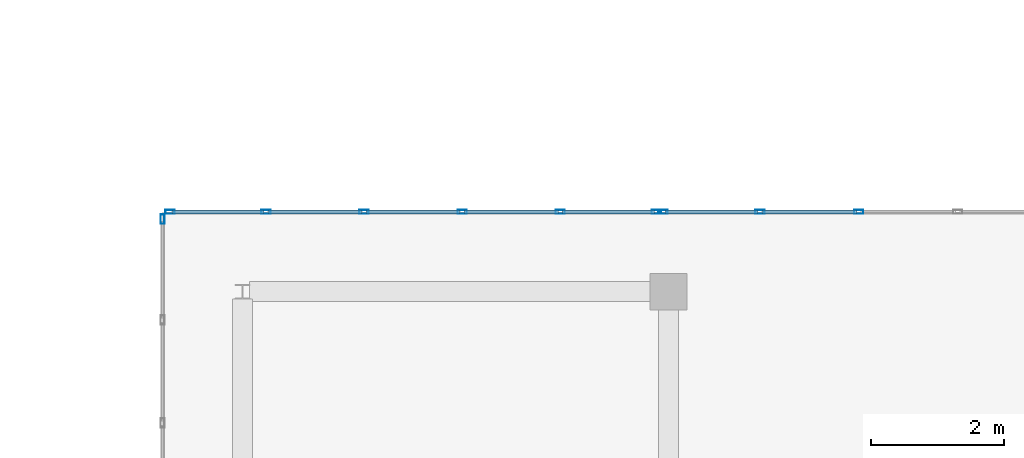
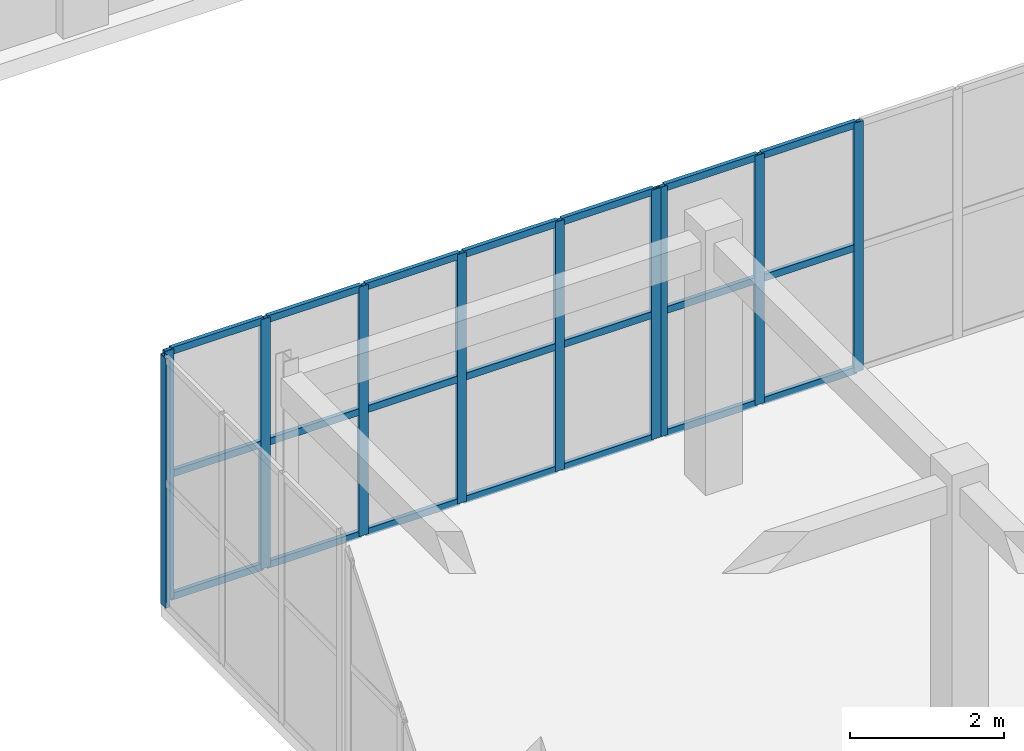
# One storey, part 54 of 140: 31 members, 3 elements without a shape of their own.
"""IFC4 building model written with IfcOpenShell, lengths in metres."""

from ifc_helpers import new_model, si_unit, direction, frame, origin, origin_2d, place, context, subcontext, project, spatial, hollow_rectangle, extrude, material, layer, layer_set, material_profile, profile_set, type_object, element, aggregate, save


model = new_model("IFC4")

# Units and contexts
model_context = context("Model", 3, precision=1e-05, world=origin(), true_north=direction((0.0, 1.0)))
body_context = subcontext(model_context, "Body", "Model", "MODEL_VIEW")
ifc_project = project(units=[si_unit("LENGTHUNIT", "METRE"), si_unit("AREAUNIT", "SQUARE_METRE"), si_unit("VOLUMEUNIT", "CUBIC_METRE"), si_unit("PLANEANGLEUNIT", "RADIAN"), si_unit("MASSUNIT", "GRAM", prefix="KILO")], contexts=[model_context])

# Site, building, storey
site_placement = place(None, origin())
site = spatial("IfcSite", under=ifc_project, at=site_placement, CompositionType="ELEMENT")
building_placement = place(site_placement, origin())
building = spatial("IfcBuilding", under=site, at=building_placement, Name="Trelvath General Hospital", CompositionType="ELEMENT")
storey_placement = place(building_placement, frame((0.0, 0.0, 16.199951171875)))
storey = spatial("IfcBuildingStorey", under=building, at=storey_placement, Name="L04", CompositionType="ELEMENT", Elevation=16.199951171875)

# Curtain wall, members
ifc_material_1 = material(Name="Anodised aluminium and low-E glass", Category="aluminium")
ifc_layer_1 = layer(ifc_material_1, 0.139892578125)
ifc_layer_set_1 = layer_set([ifc_layer_1], Name="Anodised aluminium and low-E glass")
curtain_wall_type_1 = type_object("IfcCurtainWallType", Name="CW CrystalCube 737 396 14", PredefinedType="USERDEFINED", material=ifc_layer_set_1)
curtain_wall_1_placement = place(storey_placement, origin())
curtain_wall_1 = element("IfcCurtainWall", 1, at=curtain_wall_1_placement, inside=storey, type_object=curtain_wall_type_1, Name="Crystal Cube Curtain Wall CUBE-W-T1 N1 L04", ObjectType="Unitised Glazed Curtain Wall", PredefinedType="USERDEFINED")
ifc_material_2 = material(Name="Anodised aluminium", Category="aluminium")
ifc_material_profile_1 = material_profile(ifc_material_2, hollow_rectangle(XDim=0.06005859375, YDim=0.139892578125, WallThickness=0.00390625, at=origin_2d()), Name="RHS60x140x4")
ifc_profile_set_1 = profile_set([ifc_material_profile_1], Name="Anodised aluminium")
member_type_1 = type_object("IfcMemberType", Name="CurtainMullion 60x140", PredefinedType="MULLION", material=ifc_profile_set_1)
member_1_placement = place(storey_placement, frame((53.31005859375, 80.39990234375, 0.0), z_axis=(0.0, 0.0, 1.0), x_axis=(0.0, 1.0, 0.0)))
member_1 = element("IfcMember", 2, at=member_1_placement, type_object=member_type_1, Name="CW-271 mullion 1", PredefinedType="MULLION", context=body_context, shape_type="SweptSolid", body=[
    extrude(hollow_rectangle(XDim=0.06005859375, YDim=0.139892578125, WallThickness=0.00390625, at=origin_2d()), origin(), (0.0, 0.0, 1.0), 3.9599609375),
])
member_2_placement = place(storey_placement, frame((54.75341796875, 80.39990234375, 0.0), z_axis=(0.0, 0.0, 1.0), x_axis=(0.0, 1.0, 0.0)))
member_2 = element("IfcMember", 3, at=member_2_placement, type_object=member_type_1, Name="CW-271 mullion 2", PredefinedType="MULLION", context=body_context, shape_type="SweptSolid", body=[
    extrude(hollow_rectangle(XDim=0.06005859375, YDim=0.139892578125, WallThickness=0.00390625, at=origin_2d()), origin(), (0.0, 0.0, 1.0), 3.9599609375),
])
member_3_placement = place(storey_placement, frame((56.2265625, 80.39990234375, 0.0), z_axis=(0.0, 0.0, 1.0), x_axis=(0.0, 1.0, 0.0)))
member_3 = element("IfcMember", 4, at=member_3_placement, type_object=member_type_1, Name="CW-271 mullion 3", PredefinedType="MULLION", context=body_context, shape_type="SweptSolid", body=[
    extrude(hollow_rectangle(XDim=0.06005859375, YDim=0.139892578125, WallThickness=0.00390625, at=origin_2d()), origin(), (0.0, 0.0, 1.0), 3.9599609375),
])
member_4_placement = place(storey_placement, frame((57.699951171875, 80.39990234375, 0.0), z_axis=(0.0, 0.0, 1.0), x_axis=(0.0, 1.0, 0.0)))
member_4 = element("IfcMember", 5, at=member_4_placement, type_object=member_type_1, Name="CW-271 mullion 4", PredefinedType="MULLION", context=body_context, shape_type="SweptSolid", body=[
    extrude(hollow_rectangle(XDim=0.06005859375, YDim=0.139892578125, WallThickness=0.00390625, at=origin_2d()), origin(), (0.0, 0.0, 1.0), 3.9599609375),
])
member_5_placement = place(storey_placement, frame((59.17333984375, 80.39990234375, 0.0), z_axis=(0.0, 0.0, 1.0), x_axis=(0.0, 1.0, 0.0)))
member_5 = element("IfcMember", 6, at=member_5_placement, type_object=member_type_1, Name="CW-271 mullion 5", PredefinedType="MULLION", context=body_context, shape_type="SweptSolid", body=[
    extrude(hollow_rectangle(XDim=0.06005859375, YDim=0.139892578125, WallThickness=0.00390625, at=origin_2d()), origin(), (0.0, 0.0, 1.0), 3.9599609375),
])
member_6_placement = place(storey_placement, frame((60.61669921875, 80.39990234375, 0.0), z_axis=(0.0, 0.0, 1.0), x_axis=(0.0, 1.0, 0.0)))
member_6 = element("IfcMember", 7, at=member_6_placement, type_object=member_type_1, Name="CW-271 mullion 6", PredefinedType="MULLION", context=body_context, shape_type="SweptSolid", body=[
    extrude(hollow_rectangle(XDim=0.06005859375, YDim=0.139892578125, WallThickness=0.00390625, at=origin_2d()), origin(), (0.0, 0.0, 1.0), 3.9599609375),
])

ifc_material_3 = material(Name="Anodised aluminium and low-E glass", Category="aluminium")
ifc_layer_2 = layer(ifc_material_3, 0.139892578125)
ifc_layer_set_2 = layer_set([ifc_layer_2], Name="Anodised aluminium and low-E glass")
curtain_wall_type_2 = type_object("IfcCurtainWallType", Name="CW CrystalCube 743 396 14", PredefinedType="USERDEFINED", material=ifc_layer_set_2)
curtain_wall_2_placement = place(storey_placement, origin())
curtain_wall_2 = element("IfcCurtainWall", 8, at=curtain_wall_2_placement, inside=storey, type_object=curtain_wall_type_2, Name="Crystal Cube Curtain Wall CUBE-W-T1 N2 L04", ObjectType="Unitised Glazed Curtain Wall", PredefinedType="USERDEFINED")
member_7_placement = place(storey_placement, frame((60.716796875, 80.39990234375, 0.0), z_axis=(0.0, 0.0, 1.0), x_axis=(0.0, 1.0, 0.0)))
member_7 = element("IfcMember", 9, at=member_7_placement, type_object=member_type_1, Name="CW-272 mullion 1", PredefinedType="MULLION", context=body_context, shape_type="SweptSolid", body=[
    extrude(hollow_rectangle(XDim=0.06005859375, YDim=0.139892578125, WallThickness=0.00390625, at=origin_2d()), origin(), (0.0, 0.0, 1.0), 3.9599609375),
])
member_8_placement = place(storey_placement, frame((62.172119140625, 80.39990234375, 0.0), z_axis=(0.0, 0.0, 1.0), x_axis=(0.0, 1.0, 0.0)))
member_8 = element("IfcMember", 10, at=member_8_placement, type_object=member_type_1, Name="CW-272 mullion 2", PredefinedType="MULLION", context=body_context, shape_type="SweptSolid", body=[
    extrude(hollow_rectangle(XDim=0.06005859375, YDim=0.139892578125, WallThickness=0.00390625, at=origin_2d()), origin(), (0.0, 0.0, 1.0), 3.9599609375),
])
member_9_placement = place(storey_placement, frame((63.6572265625, 80.39990234375, 0.0), z_axis=(0.0, 0.0, 1.0), x_axis=(0.0, 1.0, 0.0)))
member_9 = element("IfcMember", 11, at=member_9_placement, type_object=member_type_1, Name="CW-272 mullion 3", PredefinedType="MULLION", context=body_context, shape_type="SweptSolid", body=[
    extrude(hollow_rectangle(XDim=0.06005859375, YDim=0.139892578125, WallThickness=0.00390625, at=origin_2d()), origin(), (0.0, 0.0, 1.0), 3.9599609375),
])

# Curtain wall, member
ifc_material_4 = material(Name="Anodised aluminium and low-E glass", Category="aluminium")
ifc_layer_3 = layer(ifc_material_4, 0.139892578125)
ifc_layer_set_3 = layer_set([ifc_layer_3], Name="Anodised aluminium and low-E glass")
curtain_wall_type_3 = type_object("IfcCurtainWallType", Name="CW CrystalCube 464 396 14", PredefinedType="USERDEFINED", material=ifc_layer_set_3)
curtain_wall_3_placement = place(storey_placement, origin())
curtain_wall_3 = element("IfcCurtainWall", 12, at=curtain_wall_3_placement, inside=storey, type_object=curtain_wall_type_3, Name="Crystal Cube Curtain Wall CUBE-W-T1 W5 L04", ObjectType="Unitised Glazed Curtain Wall", PredefinedType="USERDEFINED")
member_10_placement = place(storey_placement, frame((53.199951171875, 80.2900390625, 0.0), z_axis=(0.0, 0.0, 1.0), x_axis=(-1.0, 0.0, 0.0)))
member_10 = element("IfcMember", 13, at=member_10_placement, type_object=member_type_1, Name="CW-280 mullion 4", PredefinedType="MULLION", context=body_context, shape_type="SweptSolid", body=[
    extrude(hollow_rectangle(XDim=0.06005859375, YDim=0.139892578125, WallThickness=0.00390625, at=origin_2d()), origin(), (0.0, 0.0, 1.0), 3.9599609375),
])
aggregate(curtain_wall_3, [member_10])

# Member
ifc_material_5 = material(Name="Anodised aluminium", Category="aluminium")
ifc_material_profile_2 = material_profile(ifc_material_5, hollow_rectangle(XDim=0.06005859375, YDim=0.110107421875, WallThickness=0.00390625, at=origin_2d()), Name="RHS60x110x4")
ifc_profile_set_2 = profile_set([ifc_material_profile_2], Name="Anodised aluminium")
member_type_2 = type_object("IfcMemberType", Name="CurtainTransom 60x110", PredefinedType="USERDEFINED", material=ifc_profile_set_2)
member_11_placement = place(storey_placement, frame((53.340087890625, 80.39990234375, 0.030029296875), z_axis=(1.0, 0.0, 0.0), x_axis=(0.0, 1.0, 0.0)))
member_11 = element("IfcMember", 14, at=member_11_placement, type_object=member_type_2, Name="CW-271 transom 1.1", ObjectType="TRANSOM", PredefinedType="USERDEFINED", context=body_context, shape_type="SweptSolid", body=[
    extrude(hollow_rectangle(XDim=0.06005859375, YDim=0.110107421875, WallThickness=0.00390625, at=origin_2d()), origin(), (0.0, 0.0, 1.0), 1.38330078125),
])

member_12_placement = place(storey_placement, frame((53.340087890625, 80.39990234375, 1.97998046875), z_axis=(1.0, 0.0, 0.0), x_axis=(0.0, 1.0, 0.0)))
member_12 = element("IfcMember", 15, at=member_12_placement, type_object=member_type_2, Name="CW-271 transom 1.2", ObjectType="TRANSOM", PredefinedType="USERDEFINED", context=body_context, shape_type="SweptSolid", body=[
    extrude(hollow_rectangle(XDim=0.06005859375, YDim=0.110107421875, WallThickness=0.00390625, at=origin_2d()), origin(), (0.0, 0.0, 1.0), 1.38330078125),
])

member_13_placement = place(storey_placement, frame((53.340087890625, 80.39990234375, 3.929931640625), z_axis=(1.0, 0.0, 0.0), x_axis=(0.0, 1.0, 0.0)))
member_13 = element("IfcMember", 16, at=member_13_placement, type_object=member_type_2, Name="CW-271 transom 1.3", ObjectType="TRANSOM", PredefinedType="USERDEFINED", context=body_context, shape_type="SweptSolid", body=[
    extrude(hollow_rectangle(XDim=0.06005859375, YDim=0.110107421875, WallThickness=0.00390625, at=origin_2d()), origin(), (0.0, 0.0, 1.0), 1.38330078125),
])

member_14_placement = place(storey_placement, frame((54.783447265625, 80.39990234375, 0.030029296875), z_axis=(1.0, 0.0, 0.0), x_axis=(0.0, 1.0, 0.0)))
member_14 = element("IfcMember", 17, at=member_14_placement, type_object=member_type_2, Name="CW-271 transom 2.1", ObjectType="TRANSOM", PredefinedType="USERDEFINED", context=body_context, shape_type="SweptSolid", body=[
    extrude(hollow_rectangle(XDim=0.06005859375, YDim=0.110107421875, WallThickness=0.00390625, at=origin_2d()), origin(), (0.0, 0.0, 1.0), 1.413330078125),
])

member_15_placement = place(storey_placement, frame((54.783447265625, 80.39990234375, 1.97998046875), z_axis=(1.0, 0.0, 0.0), x_axis=(0.0, 1.0, 0.0)))
member_15 = element("IfcMember", 18, at=member_15_placement, type_object=member_type_2, Name="CW-271 transom 2.2", ObjectType="TRANSOM", PredefinedType="USERDEFINED", context=body_context, shape_type="SweptSolid", body=[
    extrude(hollow_rectangle(XDim=0.06005859375, YDim=0.110107421875, WallThickness=0.00390625, at=origin_2d()), origin(), (0.0, 0.0, 1.0), 1.413330078125),
])

member_16_placement = place(storey_placement, frame((54.783447265625, 80.39990234375, 3.929931640625), z_axis=(1.0, 0.0, 0.0), x_axis=(0.0, 1.0, 0.0)))
member_16 = element("IfcMember", 19, at=member_16_placement, type_object=member_type_2, Name="CW-271 transom 2.3", ObjectType="TRANSOM", PredefinedType="USERDEFINED", context=body_context, shape_type="SweptSolid", body=[
    extrude(hollow_rectangle(XDim=0.06005859375, YDim=0.110107421875, WallThickness=0.00390625, at=origin_2d()), origin(), (0.0, 0.0, 1.0), 1.413330078125),
])

member_17_placement = place(storey_placement, frame((56.256591796875, 80.39990234375, 0.030029296875), z_axis=(1.0, 0.0, 0.0), x_axis=(0.0, 1.0, 0.0)))
member_17 = element("IfcMember", 20, at=member_17_placement, type_object=member_type_2, Name="CW-271 transom 3.1", ObjectType="TRANSOM", PredefinedType="USERDEFINED", context=body_context, shape_type="SweptSolid", body=[
    extrude(hollow_rectangle(XDim=0.06005859375, YDim=0.110107421875, WallThickness=0.00390625, at=origin_2d()), origin(), (0.0, 0.0, 1.0), 1.413330078125),
])

member_18_placement = place(storey_placement, frame((56.256591796875, 80.39990234375, 1.97998046875), z_axis=(1.0, 0.0, 0.0), x_axis=(0.0, 1.0, 0.0)))
member_18 = element("IfcMember", 21, at=member_18_placement, type_object=member_type_2, Name="CW-271 transom 3.2", ObjectType="TRANSOM", PredefinedType="USERDEFINED", context=body_context, shape_type="SweptSolid", body=[
    extrude(hollow_rectangle(XDim=0.06005859375, YDim=0.110107421875, WallThickness=0.00390625, at=origin_2d()), origin(), (0.0, 0.0, 1.0), 1.413330078125),
])

member_19_placement = place(storey_placement, frame((56.256591796875, 80.39990234375, 3.929931640625), z_axis=(1.0, 0.0, 0.0), x_axis=(0.0, 1.0, 0.0)))
member_19 = element("IfcMember", 22, at=member_19_placement, type_object=member_type_2, Name="CW-271 transom 3.3", ObjectType="TRANSOM", PredefinedType="USERDEFINED", context=body_context, shape_type="SweptSolid", body=[
    extrude(hollow_rectangle(XDim=0.06005859375, YDim=0.110107421875, WallThickness=0.00390625, at=origin_2d()), origin(), (0.0, 0.0, 1.0), 1.413330078125),
])

member_20_placement = place(storey_placement, frame((57.72998046875, 80.39990234375, 0.030029296875), z_axis=(1.0, 0.0, 0.0), x_axis=(0.0, 1.0, 0.0)))
member_20 = element("IfcMember", 23, at=member_20_placement, type_object=member_type_2, Name="CW-271 transom 4.1", ObjectType="TRANSOM", PredefinedType="USERDEFINED", context=body_context, shape_type="SweptSolid", body=[
    extrude(hollow_rectangle(XDim=0.06005859375, YDim=0.110107421875, WallThickness=0.00390625, at=origin_2d()), origin(), (0.0, 0.0, 1.0), 1.413330078125),
])

member_21_placement = place(storey_placement, frame((57.72998046875, 80.39990234375, 1.97998046875), z_axis=(1.0, 0.0, 0.0), x_axis=(0.0, 1.0, 0.0)))
member_21 = element("IfcMember", 24, at=member_21_placement, type_object=member_type_2, Name="CW-271 transom 4.2", ObjectType="TRANSOM", PredefinedType="USERDEFINED", context=body_context, shape_type="SweptSolid", body=[
    extrude(hollow_rectangle(XDim=0.06005859375, YDim=0.110107421875, WallThickness=0.00390625, at=origin_2d()), origin(), (0.0, 0.0, 1.0), 1.413330078125),
])

member_22_placement = place(storey_placement, frame((57.72998046875, 80.39990234375, 3.929931640625), z_axis=(1.0, 0.0, 0.0), x_axis=(0.0, 1.0, 0.0)))
member_22 = element("IfcMember", 25, at=member_22_placement, type_object=member_type_2, Name="CW-271 transom 4.3", ObjectType="TRANSOM", PredefinedType="USERDEFINED", context=body_context, shape_type="SweptSolid", body=[
    extrude(hollow_rectangle(XDim=0.06005859375, YDim=0.110107421875, WallThickness=0.00390625, at=origin_2d()), origin(), (0.0, 0.0, 1.0), 1.413330078125),
])

member_23_placement = place(storey_placement, frame((59.203369140625, 80.39990234375, 0.030029296875), z_axis=(1.0, 0.0, 0.0), x_axis=(0.0, 1.0, 0.0)))
member_23 = element("IfcMember", 26, at=member_23_placement, type_object=member_type_2, Name="CW-271 transom 5.1", ObjectType="TRANSOM", PredefinedType="USERDEFINED", context=body_context, shape_type="SweptSolid", body=[
    extrude(hollow_rectangle(XDim=0.06005859375, YDim=0.110107421875, WallThickness=0.00390625, at=origin_2d()), origin(), (0.0, 0.0, 1.0), 1.38330078125),
])

member_24_placement = place(storey_placement, frame((59.203369140625, 80.39990234375, 1.97998046875), z_axis=(1.0, 0.0, 0.0), x_axis=(0.0, 1.0, 0.0)))
member_24 = element("IfcMember", 27, at=member_24_placement, type_object=member_type_2, Name="CW-271 transom 5.2", ObjectType="TRANSOM", PredefinedType="USERDEFINED", context=body_context, shape_type="SweptSolid", body=[
    extrude(hollow_rectangle(XDim=0.06005859375, YDim=0.110107421875, WallThickness=0.00390625, at=origin_2d()), origin(), (0.0, 0.0, 1.0), 1.38330078125),
])

member_25_placement = place(storey_placement, frame((59.203369140625, 80.39990234375, 3.929931640625), z_axis=(1.0, 0.0, 0.0), x_axis=(0.0, 1.0, 0.0)))
member_25 = element("IfcMember", 28, at=member_25_placement, type_object=member_type_2, Name="CW-271 transom 5.3", ObjectType="TRANSOM", PredefinedType="USERDEFINED", context=body_context, shape_type="SweptSolid", body=[
    extrude(hollow_rectangle(XDim=0.06005859375, YDim=0.110107421875, WallThickness=0.00390625, at=origin_2d()), origin(), (0.0, 0.0, 1.0), 1.38330078125),
])

aggregate(curtain_wall_1, [member_1, member_2, member_3, member_4, member_5, member_6, member_11, member_12, member_13, member_14, member_15, member_16, member_17, member_18, member_19, member_20, member_21, member_22, member_23, member_24, member_25])

member_26_placement = place(storey_placement, frame((60.74658203125, 80.39990234375, 0.030029296875), z_axis=(1.0, 0.0, 0.0), x_axis=(0.0, 1.0, 0.0)))
member_26 = element("IfcMember", 29, at=member_26_placement, type_object=member_type_2, Name="CW-272 transom 1.1", ObjectType="TRANSOM", PredefinedType="USERDEFINED", context=body_context, shape_type="SweptSolid", body=[
    extrude(hollow_rectangle(XDim=0.06005859375, YDim=0.110107421875, WallThickness=0.00390625, at=origin_2d()), origin(), (0.0, 0.0, 1.0), 1.3955078125),
])

member_27_placement = place(storey_placement, frame((60.74658203125, 80.39990234375, 1.97998046875), z_axis=(1.0, 0.0, 0.0), x_axis=(0.0, 1.0, 0.0)))
member_27 = element("IfcMember", 30, at=member_27_placement, type_object=member_type_2, Name="CW-272 transom 1.2", ObjectType="TRANSOM", PredefinedType="USERDEFINED", context=body_context, shape_type="SweptSolid", body=[
    extrude(hollow_rectangle(XDim=0.06005859375, YDim=0.110107421875, WallThickness=0.00390625, at=origin_2d()), origin(), (0.0, 0.0, 1.0), 1.3955078125),
])

member_28_placement = place(storey_placement, frame((60.74658203125, 80.39990234375, 3.929931640625), z_axis=(1.0, 0.0, 0.0), x_axis=(0.0, 1.0, 0.0)))
member_28 = element("IfcMember", 31, at=member_28_placement, type_object=member_type_2, Name="CW-272 transom 1.3", ObjectType="TRANSOM", PredefinedType="USERDEFINED", context=body_context, shape_type="SweptSolid", body=[
    extrude(hollow_rectangle(XDim=0.06005859375, YDim=0.110107421875, WallThickness=0.00390625, at=origin_2d()), origin(), (0.0, 0.0, 1.0), 1.3955078125),
])

member_29_placement = place(storey_placement, frame((62.201904296875, 80.39990234375, 0.030029296875), z_axis=(1.0, 0.0, 0.0), x_axis=(0.0, 1.0, 0.0)))
member_29 = element("IfcMember", 32, at=member_29_placement, type_object=member_type_2, Name="CW-272 transom 2.1", ObjectType="TRANSOM", PredefinedType="USERDEFINED", context=body_context, shape_type="SweptSolid", body=[
    extrude(hollow_rectangle(XDim=0.06005859375, YDim=0.110107421875, WallThickness=0.00390625, at=origin_2d()), origin(), (0.0, 0.0, 1.0), 1.425537109375),
])

member_30_placement = place(storey_placement, frame((62.201904296875, 80.39990234375, 1.97998046875), z_axis=(1.0, 0.0, 0.0), x_axis=(0.0, 1.0, 0.0)))
member_30 = element("IfcMember", 33, at=member_30_placement, type_object=member_type_2, Name="CW-272 transom 2.2", ObjectType="TRANSOM", PredefinedType="USERDEFINED", context=body_context, shape_type="SweptSolid", body=[
    extrude(hollow_rectangle(XDim=0.06005859375, YDim=0.110107421875, WallThickness=0.00390625, at=origin_2d()), origin(), (0.0, 0.0, 1.0), 1.425537109375),
])

member_31_placement = place(storey_placement, frame((62.201904296875, 80.39990234375, 3.929931640625), z_axis=(1.0, 0.0, 0.0), x_axis=(0.0, 1.0, 0.0)))
member_31 = element("IfcMember", 34, at=member_31_placement, type_object=member_type_2, Name="CW-272 transom 2.3", ObjectType="TRANSOM", PredefinedType="USERDEFINED", context=body_context, shape_type="SweptSolid", body=[
    extrude(hollow_rectangle(XDim=0.06005859375, YDim=0.110107421875, WallThickness=0.00390625, at=origin_2d()), origin(), (0.0, 0.0, 1.0), 1.425537109375),
])

aggregate(curtain_wall_2, [member_7, member_8, member_9, member_26, member_27, member_28, member_29, member_30, member_31])

save(model, "model.ifc")
